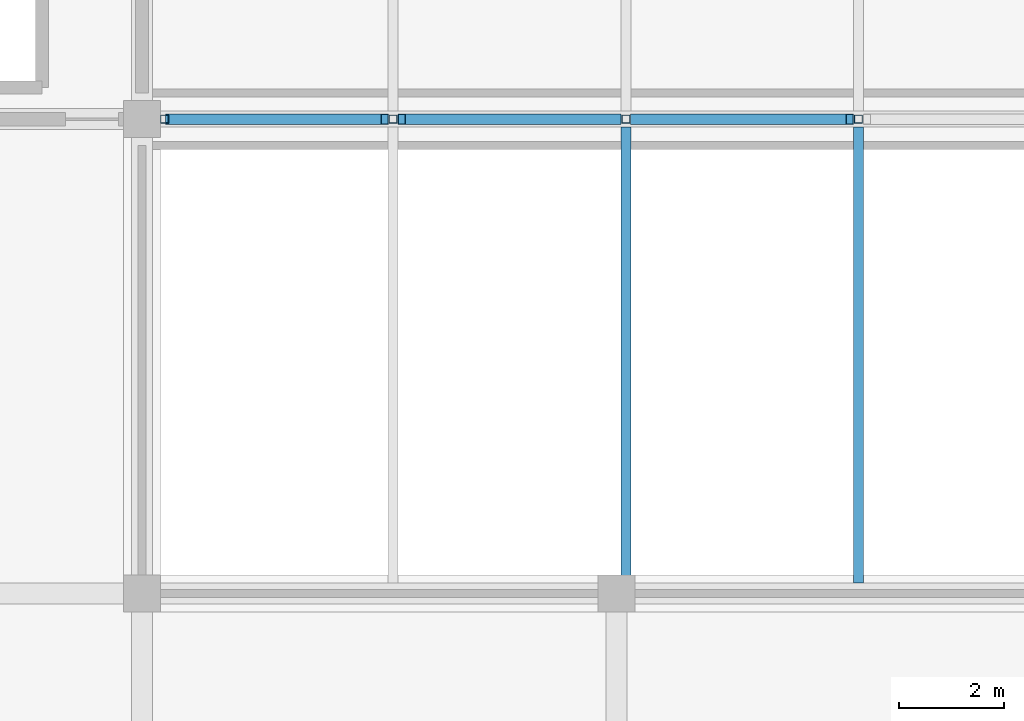
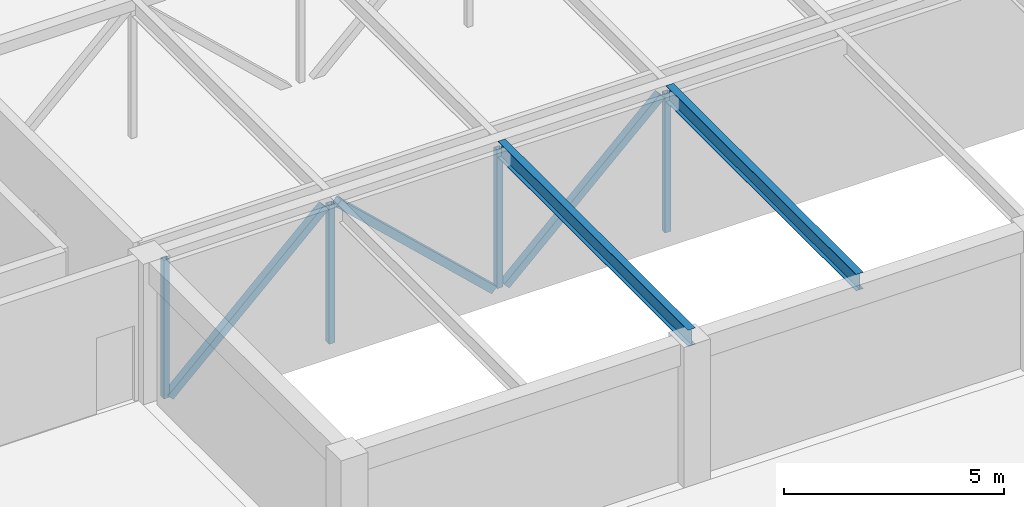
# One storey, part 2 of 30: 7 members, 2 beams.
"""IFC4 building model written with IfcOpenShell, lengths in metres."""

import ifcopenshell
import ifcopenshell.guid

model = None  # the IFC model being written
_history = None  # IfcOwnerHistory: only IFC2X3 demands one
_inside = {}  # id of a spatial element -> (the spatial element, [elements in it])
_under = {}  # id of a project, library or spatial element -> (it, [spatial elements below it])
_declared = {}  # id of a project -> (the project, [libraries it declares])
_typed = {}  # id of a type object -> (the type object, [elements of that type])
_made_of = {}  # id of a material, layer set ... -> (it, [elements and type objects made of it])


def new_model(schema):
    """Start an empty IFC model of exactly this schema.

    Asked for "IFC4X3", IfcOpenShell would pick the latest addendum, in which some entities
    have other attributes; the version numbers below select the first issue.
    IFC2X3 requires an IfcOwnerHistory on every rooted entity: one is made here for all.
    """
    global model, _history
    if schema == "IFC4X3":
        model = ifcopenshell.file(schema_version=(4, 3, 0, 0))
    else:
        model = ifcopenshell.file(schema=schema)
    _inside.clear()
    _under.clear()
    _declared.clear()
    _typed.clear()
    _made_of.clear()
    _history = None
    if model.schema == "IFC2X3":
        org = make("IfcOrganization", Name="unknown")
        user = make(
            "IfcPersonAndOrganization",
            ThePerson=make("IfcPerson", FamilyName="unknown"),
            TheOrganization=org,
        )
        app = make(
            "IfcApplication",
            ApplicationDeveloper=org,
            Version="unknown",
            ApplicationFullName="unknown",
            ApplicationIdentifier="unknown",
        )
        _history = make(
            "IfcOwnerHistory",
            OwningUser=user,
            OwningApplication=app,
            ChangeAction="ADDED",
            CreationDate=0,
        )
    return model


def make(cls, **values):
    """One entity of the class cls with the attributes given. An attribute that is None is left unset."""
    return model.create_entity(
        cls, **{name: value for name, value in values.items() if value is not None}
    )


def rooted(cls, **values):
    """An entity with a GlobalId (a new one), such as an element, a storey or a relation."""
    return make(cls, GlobalId=ifcopenshell.guid.new(), OwnerHistory=_history, **values)


def si_unit(unit_type, name, prefix=None):
    """IfcSIUnit, for example si_unit("LENGTHUNIT", "METRE", prefix="MILLI")."""
    return make("IfcSIUnit", UnitType=unit_type, Prefix=prefix, Name=name)


def assignment(units):
    """IfcUnitAssignment: the units of a project."""
    return None if units is None else make("IfcUnitAssignment", Units=units)


def point(xyz):
    """IfcCartesianPoint."""
    return None if xyz is None else make("IfcCartesianPoint", Coordinates=xyz)


def direction(xyz):
    """IfcDirection."""
    return None if xyz is None else make("IfcDirection", DirectionRatios=xyz)


def frame(location, z_axis=None, x_axis=None):
    """IfcAxis2Placement3D, a coordinate frame: its origin and axes. An axis left out is left unset."""
    return make(
        "IfcAxis2Placement3D",
        Location=point(location),
        Axis=direction(z_axis),
        RefDirection=direction(x_axis),
    )


def frame_2d(location, x_axis=None):
    """IfcAxis2Placement2D, a coordinate frame in the plane: its origin and x axis."""
    return make(
        "IfcAxis2Placement2D", Location=point(location), RefDirection=direction(x_axis)
    )


def origin():
    """The frame at (0, 0, 0) with its axes left unset."""
    return frame((0.0, 0.0, 0.0))


def origin_2d():
    """The frame at (0, 0) in the plane with its x axis left unset."""
    return frame_2d((0.0, 0.0))


def place(relative_to, where):
    """IfcLocalPlacement: puts the frame where relative to a parent placement (None: the world)."""
    return make(
        "IfcLocalPlacement", PlacementRelTo=relative_to, RelativePlacement=where
    )


def context(
    kind, dimensions, precision=None, world=None, true_north=None, identifier=None
):
    """IfcGeometricRepresentationContext, for example the 3D "Model" context."""
    return make(
        "IfcGeometricRepresentationContext",
        ContextIdentifier=identifier,
        ContextType=kind,
        CoordinateSpaceDimension=dimensions,
        Precision=precision,
        WorldCoordinateSystem=world,
        TrueNorth=true_north,
    )


def subcontext(parent, identifier, kind, view, scale=None):
    """IfcGeometricRepresentationSubContext, for example "Body" below "Model"."""
    return make(
        "IfcGeometricRepresentationSubContext",
        ContextIdentifier=identifier,
        ContextType=kind,
        ParentContext=parent,
        TargetScale=scale,
        TargetView=view,
    )


def project(units=None, contexts=None):
    """IfcProject with its units and contexts."""
    return rooted(
        "IfcProject",
        Name="project",
        RepresentationContexts=contexts,
        UnitsInContext=assignment(units),
    )


def spatial(cls, under=None, at=None, **own):
    """A site, building, storey or space (cls), placed at a placement, below another one or the project."""
    s = rooted(cls, ObjectPlacement=at, **own)
    if under is not None:
        _under.setdefault(under.id(), (under, []))[1].append(s)
    return s


def profile(cls, at=None, kind="AREA", **sizes):
    """A parametric profile (cls). Its sizes go by their IFC names, for example OverallWidth=200.0."""
    return make(cls, ProfileType=kind, Position=at, **sizes)


def hollow_rectangle(**sizes):
    """IfcRectangleHollowProfileDef."""
    return profile("IfcRectangleHollowProfileDef", **sizes)


def i_section(**sizes):
    """IfcIShapeProfileDef."""
    return profile("IfcIShapeProfileDef", **sizes)


def extrude(swept, where, along, depth):
    """IfcExtrudedAreaSolid: the profile swept, set in the frame where, extruded along a direction by depth."""
    return make(
        "IfcExtrudedAreaSolid",
        SweptArea=swept,
        Position=where,
        ExtrudedDirection=direction(along),
        Depth=depth,
    )


def shape(context_of_items, identifier, shape_type, items):
    """IfcShapeRepresentation: the items that make up one representation, for example the "Body"."""
    return make(
        "IfcShapeRepresentation",
        ContextOfItems=context_of_items,
        RepresentationIdentifier=identifier,
        RepresentationType=shape_type,
        Items=items,
    )


def material(Name=None, Category=None):
    """IfcMaterial."""
    return make("IfcMaterial", Name=Name, Category=Category)


def material_profile(
    of_material, cross_section, Name=None, Category=None, Priority=None
):
    """IfcMaterialProfile: a cross section and its material."""
    return make(
        "IfcMaterialProfile",
        Name=Name,
        Material=of_material,
        Profile=cross_section,
        Priority=Priority,
        Category=Category,
    )


def profile_set(profiles, Name=None, composite=None):
    """IfcMaterialProfileSet."""
    return make(
        "IfcMaterialProfileSet",
        Name=Name,
        MaterialProfiles=profiles,
        CompositeProfile=composite,
    )


def made_of(thing, what):
    """Note that an element or type object is made of a material, layer set ...; save() writes the relation."""
    if what is not None:
        _made_of.setdefault(what.id(), (what, []))[1].append(thing)
    return thing


def type_object(cls, material=None, **own):
    """A type object (cls), such as IfcWallType, which elements share."""
    return made_of(rooted(cls, **own), material)


def element(
    cls,
    number,
    at=None,
    inside=None,
    cuts=None,
    type_object=None,
    material=None,
    context=None,
    identifier="Body",
    shape_type=None,
    held_by="IfcProductDefinitionShape",
    body=None,
    shapes=None,
    **own,
):
    """One element of the class cls, such as IfcWall. Its Tag is "e" and its number.

    at: its placement. inside: the storey or other place that contains it. cuts: it is an
    opening in that element (IfcRelVoidsElement). A single representation is given by context,
    identifier, shape_type and body (its items); several are given by shapes. held_by: the class
    of the entity that holds the representations. save() writes the other relations.
    """
    e = rooted(cls, Tag="e%d" % number, ObjectPlacement=at, **own)
    if body is not None:
        shapes = [shape(context, identifier, shape_type, body)]
    if shapes is not None:
        e.Representation = make(held_by, Representations=shapes)
    if inside is not None:
        _inside.setdefault(inside.id(), (inside, []))[1].append(e)
    if cuts is not None:
        rooted(
            "IfcRelVoidsElement", RelatingBuildingElement=cuts, RelatedOpeningElement=e
        )
    if type_object is not None:
        _typed.setdefault(type_object.id(), (type_object, []))[1].append(e)
    return made_of(e, material)


def aggregate(whole, parts):
    """IfcRelAggregates: a whole, such as a stair, and the parts it consists of."""
    return rooted("IfcRelAggregates", RelatingObject=whole, RelatedObjects=parts)


def save(model, path):
    """Write the relations noted so far, then the file.

    IfcRelAggregates (storeys below a building ...), IfcRelContainedInSpatialStructure (elements
    in a storey), IfcRelDefinesByType, IfcRelAssociatesMaterial and IfcRelDeclares: one each for
    every whole, place, type object, material and project.
    """
    for whole, parts in _under.values():
        aggregate(whole, parts)
    for where, things in _inside.values():
        rooted(
            "IfcRelContainedInSpatialStructure",
            RelatedElements=things,
            RelatingStructure=where,
        )
    for kind, things in _typed.values():
        rooted("IfcRelDefinesByType", RelatedObjects=things, RelatingType=kind)
    for what, things in _made_of.values():
        rooted("IfcRelAssociatesMaterial", RelatedObjects=things, RelatingMaterial=what)
    for by, libraries in _declared.values():
        rooted("IfcRelDeclares", RelatingContext=by, RelatedDefinitions=libraries)
    model.write(path)


model = new_model("IFC4")

# Units and contexts
model_context = context("Model", 3, precision=1e-05, world=origin(), true_north=direction((0.0, 1.0)))
body_context = subcontext(model_context, "Body", "Model", "MODEL_VIEW")
ifc_project = project(units=[si_unit("LENGTHUNIT", "METRE"), si_unit("AREAUNIT", "SQUARE_METRE"), si_unit("VOLUMEUNIT", "CUBIC_METRE"), si_unit("PLANEANGLEUNIT", "RADIAN"), si_unit("MASSUNIT", "GRAM", prefix="KILO")], contexts=[model_context])

# Site, building, storey
site_placement = place(None, origin())
site = spatial("IfcSite", under=ifc_project, at=site_placement, CompositionType="ELEMENT")
building_placement = place(site_placement, origin())
building = spatial("IfcBuilding", under=site, at=building_placement, Name="Corbel Stack Research Tower", CompositionType="ELEMENT")
storey_placement = place(building_placement, frame((0.0, 0.0, 19.5)))
storey = spatial("IfcBuildingStorey", under=building, at=storey_placement, Name="L04", CompositionType="ELEMENT", Elevation=19.5)

# Beams
ifc_material_1 = material(Name="Steel S355", Category="steel")
ifc_material_profile_1 = material_profile(ifc_material_1, i_section(OverallWidth=0.18994140625, OverallDepth=0.45703125, WebThickness=0.009033203125, FlangeThickness=0.013916015625, at=origin_2d()), Name="W18x50")
ifc_profile_set_1 = profile_set([ifc_material_profile_1], Name="Steel S355")
beam_type = type_object("IfcBeamType", Name="HB3 steel beam W18x50", PredefinedType="BEAM", material=ifc_profile_set_1)
for number, where, z_axis, x_axis, name in (
    (1, (60.125, -17.800048828125, 3.67138671875), (0.0, 1.0, 0.0), (-1.0, 0.0, 0.0), "Steel floor beam R bay 1 line 2"),
    (2, (64.53759765625, -17.800048828125, 3.67138671875), (0.0, 1.0, 0.0), (-1.0, 0.0, 0.0), "Steel floor beam R bay 1 line 3"),
):
    element("IfcBeam", number, at=place(storey_placement, frame(where, z_axis=z_axis, x_axis=x_axis)), inside=storey, type_object=beam_type, Name=name, PredefinedType="BEAM", context=body_context, shape_type="SweptSolid", body=[
        extrude(i_section(OverallWidth=0.18994140625, OverallDepth=0.45703125, WebThickness=0.009033203125, FlangeThickness=0.013916015625, at=origin_2d()), origin(), (0.0, 0.0, 1.0), 8.6474609375),
    ])

# Members
ifc_material_2 = material(Name="Steel S355", Category="steel")
ifc_material_profile_2 = material_profile(ifc_material_2, hollow_rectangle(XDim=0.202880859375, YDim=0.202880859375, WallThickness=0.0087890625, at=origin_2d()), Name="HSS8x8x3/8")
ifc_profile_set_2 = profile_set([ifc_material_profile_2], Name="Steel S355")
member_type_1 = type_object("IfcMemberType", Name="HT2 truss diagonal HSS8x8x3/8", PredefinedType="BRACE", material=ifc_profile_set_2)
for number, where, z_axis, x_axis, name in (
    (3, (51.462158203125, -9.0, -0.25), (0.728438769744, 0.0, 0.685110909805), (0.0, 1.0, 0.0), "Truss TB1 diagonal 1"),
    (4, (55.874755859375, -9.0, 3.594970703125), (0.728438769744, 0.0, -0.685110909805), (0.0, 1.0, 0.0), "Truss TB1 diagonal 2"),
    (5, (60.287109375, -9.0, -0.25), (0.728438769744, 0.0, 0.685110909805), (0.0, 1.0, 0.0), "Truss TB1 diagonal 3"),
):
    element("IfcMember", number, at=place(storey_placement, frame(where, z_axis=z_axis, x_axis=x_axis)), inside=storey, type_object=member_type_1, Name=name, PredefinedType="BRACE", context=body_context, shape_type="SweptSolid", body=[
        extrude(hollow_rectangle(XDim=0.202880859375, YDim=0.202880859375, WallThickness=0.0087890625, at=origin_2d()), origin(), (0.0, 0.0, 1.0), 5.6123046875),
    ])
ifc_material_3 = material(Name="Steel S355", Category="steel")
ifc_material_profile_3 = material_profile(ifc_material_3, hollow_rectangle(XDim=0.152099609375, YDim=0.152099609375, WallThickness=0.005859375, at=origin_2d()), Name="HSS6x6x1/4")
ifc_profile_set_3 = profile_set([ifc_material_profile_3], Name="Steel S355")
member_type_2 = type_object("IfcMemberType", Name="HT3 truss post HSS6x6x1/4", PredefinedType="POST", material=ifc_profile_set_3)
for number, where, z_axis, x_axis, name in (
    (6, (51.3759765625, -9.0, -0.25), (0.0, 0.0, 1.0), (1.0, 0.0, 0.0), "Truss TB1 post 1"),
    (7, (55.71240234375, -9.0, -0.25), (0.0, 0.0, 1.0), (1.0, 0.0, 0.0), "Truss TB1 post 2"),
    (8, (60.125, -9.0, -0.25), (0.0, 0.0, 1.0), (1.0, 0.0, 0.0), "Truss TB1 post 3"),
    (9, (64.53759765625, -9.0, -0.25), (0.0, 0.0, 1.0), (1.0, 0.0, 0.0), "Truss TB1 post 4"),
):
    element("IfcMember", number, at=place(storey_placement, frame(where, z_axis=z_axis, x_axis=x_axis)), inside=storey, type_object=member_type_2, Name=name, PredefinedType="POST", context=body_context, shape_type="SweptSolid", body=[
        extrude(hollow_rectangle(XDim=0.152099609375, YDim=0.152099609375, WallThickness=0.005859375, at=origin_2d()), origin(), (0.0, 0.0, 1.0), 3.844970703125),
    ])

save(model, "model.ifc")
